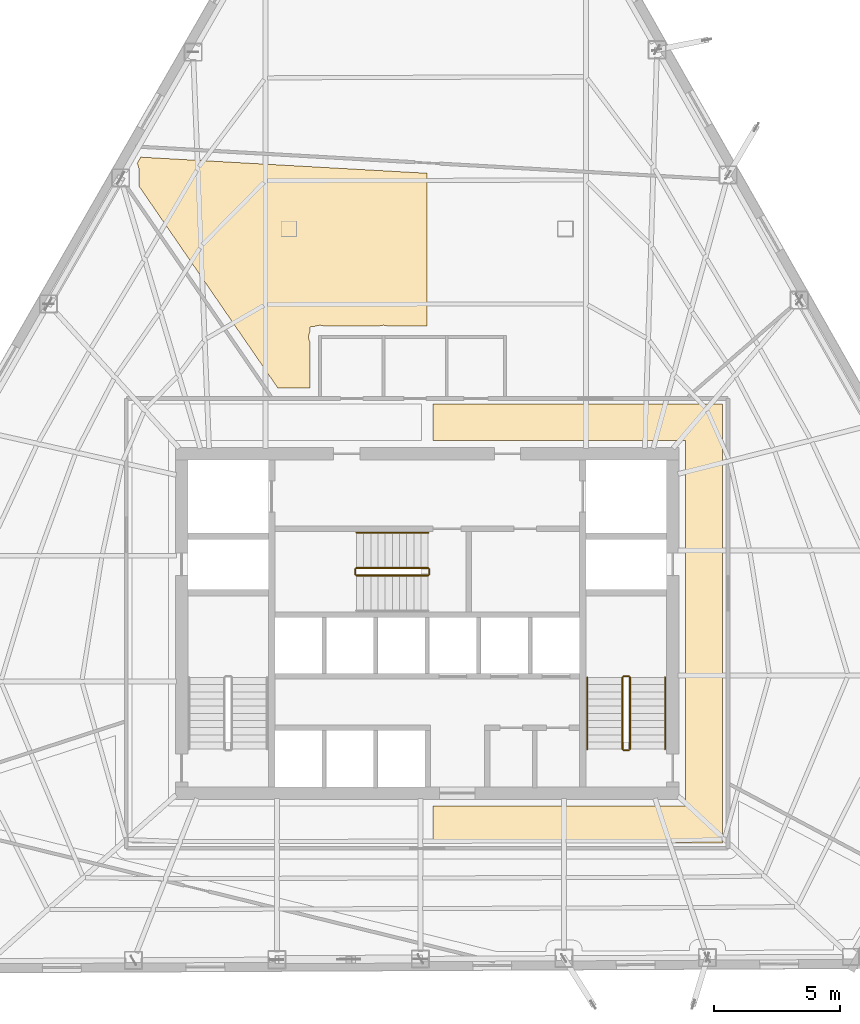
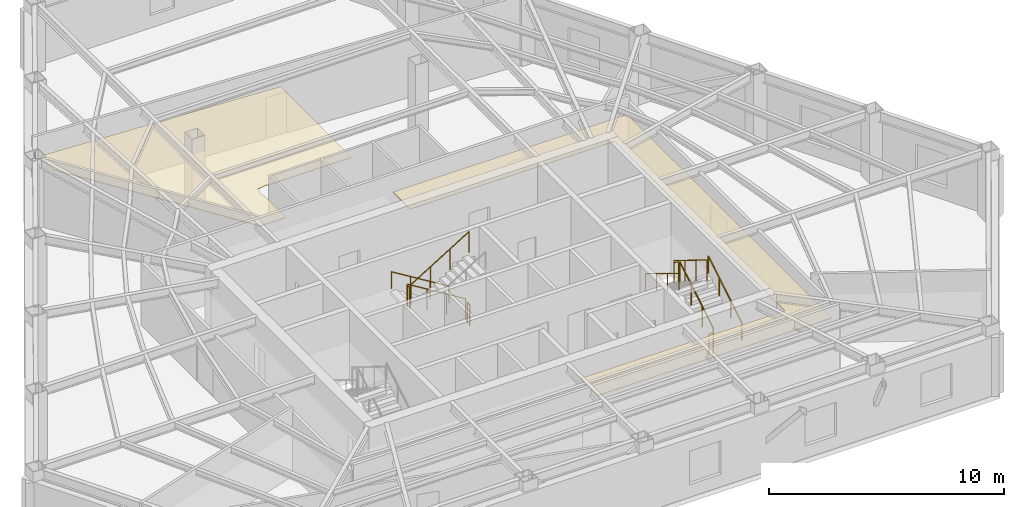
# One storey, part 13 of 13: 11 railings, 2 coverings.
"""IFC4 building model written with IfcOpenShell, lengths in metres."""

from ifc_helpers import new_model, si_unit, direction, frame, origin, origin_2d, place, context, subcontext, project, spatial, polyline, circle, outline, extrude, material, layer, layer_set, type_object, element, save


model = new_model("IFC4")

# Units and contexts
model_context = context("Model", 3, precision=1e-05, world=origin(), true_north=direction((0.0, 1.0)))
body_context = subcontext(model_context, "Body", "Model", "MODEL_VIEW")
ifc_project = project(units=[si_unit("LENGTHUNIT", "METRE"), si_unit("AREAUNIT", "SQUARE_METRE"), si_unit("VOLUMEUNIT", "CUBIC_METRE"), si_unit("PLANEANGLEUNIT", "RADIAN"), si_unit("MASSUNIT", "GRAM", prefix="KILO")], contexts=[model_context])

# Site, building, storey
site_placement = place(None, origin())
site = spatial("IfcSite", under=ifc_project, at=site_placement, CompositionType="ELEMENT")
building_placement = place(site_placement, origin())
building = spatial("IfcBuilding", under=site, at=building_placement, Name="Kavelnor Concourse Tower", CompositionType="ELEMENT")
storey_placement = place(building_placement, frame((0.0, 0.0, 85.5)))
storey = spatial("IfcBuildingStorey", under=building, at=storey_placement, Name="L21", CompositionType="ELEMENT", Elevation=85.5)

# Coverings
ifc_material_1 = material(Name="Mineral fibre acoustic ceiling tile")
ifc_layer = layer(ifc_material_1, 0.0400390625, Name="Mineral fibre acoustic ceiling tile")
ifc_layer_set = layer_set([ifc_layer], Name="Mineral fibre acoustic ceiling tile")
covering_type = type_object("IfcCoveringType", Name="COV-CEILING-ACOUSTIC", PredefinedType="CEILING", material=ifc_layer_set)
covering_1_placement = place(storey_placement, frame((0.0, 0.0, 2.75)))
element("IfcCovering", 1, at=covering_1_placement, inside=storey, type_object=covering_type, Name="L21 Suspended Acoustic Ceiling", PredefinedType="CEILING", context=body_context, shape_type="SweptSolid", body=[
    extrude(outline(polyline([(49.75, 7.3701171875), (38.22509765625, 7.3701171875), (38.22509765625, 8.830078125), (48.2900390625, 8.830078125), (48.2900390625, 23.3701171875), (38.22509765625, 23.3701171875), (38.22509765625, 24.830078125), (49.75, 24.830078125), (49.75, 7.3701171875)])), origin(), (0.0, 0.0, 1.0), 0.0400390625),
])
covering_2_placement = place(storey_placement, frame((0.0, 0.0, 2.75)))
element("IfcCovering", 2, at=covering_2_placement, inside=storey, type_object=covering_type, Name="L21 Suspended Acoustic Ceiling", PredefinedType="CEILING", context=body_context, shape_type="SweptSolid", body=[
    extrude(outline(polyline([(37.9951171875, 27.94091796875), (36.39990234375, 27.93994140625), (36.377685546875, 27.947998046875), (36.339111328125, 27.95751953125), (36.2998046875, 27.96337890625), (36.260009765625, 27.96533203125), (36.22021484375, 27.96337890625), (36.180908203125, 27.95751953125), (36.142333984375, 27.947998046875), (36.123291015625, 27.941162109375), (33.8798828125, 27.93994140625), (33.857666015625, 27.947998046875), (33.819091796875, 27.95751953125), (33.77978515625, 27.96337890625), (33.739990234375, 27.96533203125), (33.7001953125, 27.96337890625), (33.660888671875, 27.95751953125), (33.622314453125, 27.947998046875), (33.5849609375, 27.9345703125), (33.573486328125, 27.92919921875), (33.340087890625, 27.899658203125), (33.340087890625, 27.70361328125), (33.33251953125, 27.691162109375), (33.3154296875, 27.655029296875), (33.302001953125, 27.61767578125), (33.29248046875, 27.5791015625), (33.28662109375, 27.539794921875), (33.28466796875, 27.5), (33.28662109375, 27.460205078125), (33.29248046875, 27.4208984375), (33.302001953125, 27.38232421875), (33.3154296875, 27.344970703125), (33.33251953125, 27.308837890625), (33.3349609375, 27.3046875), (33.3349609375, 25.472412109375), (32.056396484375, 25.472412109375), (26.528076171875, 33.509033203125), (26.528076171875, 34.191650390625), (26.52685546875, 34.21875), (26.521484375, 34.253662109375), (26.512939453125, 34.2880859375), (26.501220703125, 34.3212890625), (26.486083984375, 34.353271484375), (26.4677734375, 34.383544921875), (26.459716796875, 34.394775390625), (26.608154296875, 34.653076171875), (37.9951171875, 34.01318359375), (37.9951171875, 27.94091796875)])), origin(), (0.0, 0.0, 1.0), 0.0400390625),
])

# Railings
ifc_material_2 = material(Name="Steel Grade 350", Category="steel")
railing_type_1 = type_object("IfcRailingType", Name="RLG-GUARD-1100", PredefinedType="GUARDRAIL", material=ifc_material_2)
railing_1_placement = place(storey_placement, frame((46.070068359375, 11.10009765625, 0.175048828125)))
element("IfcRailing", 3, at=railing_1_placement, inside=storey, type_object=railing_type_1, Name="L21 ST2 stair guard 1", PredefinedType="GUARDRAIL", context=body_context, shape_type="SweptSolid", body=[
    extrude(circle(Radius=0.02392578125, at=origin_2d()), frame((0.0, 0.0, 1.076171875), z_axis=(0.0, 0.852159232446, 0.523282564737), x_axis=(-1.0, 0.0, 0.0)), (0.0, 0.0, 1.0), 3.34423828125),
    extrude(circle(Radius=0.02099609375, at=origin_2d()), origin(), (0.0, 0.0, 1.0), 1.052001953125),
    extrude(circle(Radius=0.02099609375, at=origin_2d()), frame((0.0, 0.949951171875, 0.583251953125)), (0.0, 0.0, 1.0), 1.052001953125),
    extrude(circle(Radius=0.02099609375, at=origin_2d()), frame((0.0, 1.89990234375, 1.166748046875)), (0.0, 0.0, 1.0), 1.052001953125),
    extrude(circle(Radius=0.02099609375, at=origin_2d()), frame((0.0, 2.849853515625, 1.75)), (0.0, 0.0, 1.0), 1.052001953125),
])
railing_2_placement = place(storey_placement, frame((46.02001953125, 14.0, 1.925048828125)))
element("IfcRailing", 4, at=railing_2_placement, inside=storey, type_object=railing_type_1, Name="L21 ST2 stair guard 2", PredefinedType="GUARDRAIL", context=body_context, shape_type="SweptSolid", body=[
    extrude(circle(Radius=0.02392578125, at=origin_2d()), frame((0.0, 0.0, 1.076171875), z_axis=(-1.0, 0.0, 0.0), x_axis=(0.0, -1.0, 0.0)), (0.0, 0.0, 1.0), 0.199951171875),
    extrude(circle(Radius=0.02099609375, at=origin_2d()), origin(), (0.0, 0.0, 1.0), 1.052001953125),
    extrude(circle(Radius=0.02099609375, at=origin_2d()), frame((-0.199951171875, 0.0, 0.0)), (0.0, 0.0, 1.0), 1.052001953125),
])
railing_3_placement = place(storey_placement, frame((45.77001953125, 13.949951171875, 2.10009765625)))
element("IfcRailing", 5, at=railing_3_placement, inside=storey, type_object=railing_type_1, Name="L21 ST2 stair guard 3", PredefinedType="GUARDRAIL", context=body_context, shape_type="SweptSolid", body=[
    extrude(circle(Radius=0.02392578125, at=origin_2d()), frame((0.0, 0.0, 1.076171875), z_axis=(0.0, -0.852159232446, 0.523282564737), x_axis=(1.0, 0.0, 0.0)), (0.0, 0.0, 1.0), 3.34423828125),
    extrude(circle(Radius=0.02099609375, at=origin_2d()), origin(), (0.0, 0.0, 1.0), 1.052001953125),
    extrude(circle(Radius=0.02099609375, at=origin_2d()), frame((0.0, -0.949951171875, 0.583251953125)), (0.0, 0.0, 1.0), 1.052001953125),
    extrude(circle(Radius=0.02099609375, at=origin_2d()), frame((0.0, -1.89990234375, 1.166748046875)), (0.0, 0.0, 1.0), 1.052001953125),
    extrude(circle(Radius=0.02099609375, at=origin_2d()), frame((0.0, -2.849853515625, 1.75)), (0.0, 0.0, 1.0), 1.052001953125),
])
railing_4_placement = place(storey_placement, frame((46.02001953125, 11.050048828125, 0.0)))
element("IfcRailing", 6, at=railing_4_placement, inside=storey, type_object=railing_type_1, Name="L21 ST2 stair guard 4", PredefinedType="GUARDRAIL", context=body_context, shape_type="SweptSolid", body=[
    extrude(circle(Radius=0.02392578125, at=origin_2d()), frame((0.0, 0.0, 1.076171875), z_axis=(-1.0, 0.0, 0.0), x_axis=(0.0, -1.0, 0.0)), (0.0, 0.0, 1.0), 0.199951171875),
    extrude(circle(Radius=0.02099609375, at=origin_2d()), origin(), (0.0, 0.0, 1.0), 1.052001953125),
    extrude(circle(Radius=0.02099609375, at=origin_2d()), frame((-0.199951171875, 0.0, 0.0)), (0.0, 0.0, 1.0), 1.052001953125),
])
railing_5_placement = place(storey_placement, frame((38.0400390625, 18.31005859375, 0.175048828125)))
element("IfcRailing", 7, at=railing_5_placement, inside=storey, type_object=railing_type_1, Name="L21 ST3 stair guard 1", PredefinedType="GUARDRAIL", context=body_context, shape_type="SweptSolid", body=[
    extrude(circle(Radius=0.02392578125, at=origin_2d()), frame((0.0, 0.0, 1.076171875), z_axis=(-0.852179220489, 0.0, 0.52325001306), x_axis=(0.0, -1.0, 0.0)), (0.0, 0.0, 1.0), 3.344482421875),
    extrude(circle(Radius=0.02099609375, at=origin_2d()), origin(), (0.0, 0.0, 1.0), 1.052001953125),
    extrude(circle(Radius=0.02099609375, at=origin_2d()), frame((-0.949951171875, 0.0, 0.583251953125)), (0.0, 0.0, 1.0), 1.052001953125),
    extrude(circle(Radius=0.02099609375, at=origin_2d()), frame((-1.900146484375, 0.0, 1.166748046875)), (0.0, 0.0, 1.0), 1.052001953125),
    extrude(circle(Radius=0.02099609375, at=origin_2d()), frame((-2.85009765625, 0.0, 1.75)), (0.0, 0.0, 1.0), 1.052001953125),
])
railing_6_placement = place(storey_placement, frame((35.139892578125, 18.260009765625, 1.925048828125)))
element("IfcRailing", 8, at=railing_6_placement, inside=storey, type_object=railing_type_1, Name="L21 ST3 stair guard 2", PredefinedType="GUARDRAIL", context=body_context, shape_type="SweptSolid", body=[
    extrude(circle(Radius=0.02392578125, at=origin_2d()), frame((0.0, 0.0, 1.076171875), z_axis=(0.0, -1.0, 0.0), x_axis=(1.0, 0.0, 0.0)), (0.0, 0.0, 1.0), 0.199951171875),
    extrude(circle(Radius=0.02099609375, at=origin_2d()), origin(), (0.0, 0.0, 1.0), 1.052001953125),
    extrude(circle(Radius=0.02099609375, at=origin_2d()), frame((0.0, -0.199951171875, 0.0)), (0.0, 0.0, 1.0), 1.052001953125),
])
railing_7_placement = place(storey_placement, frame((35.18994140625, 18.010009765625, 2.10009765625)))
element("IfcRailing", 9, at=railing_7_placement, inside=storey, type_object=railing_type_1, Name="L21 ST3 stair guard 3", PredefinedType="GUARDRAIL", context=body_context, shape_type="SweptSolid", body=[
    extrude(circle(Radius=0.02392578125, at=origin_2d()), frame((0.0, 0.0, 1.076171875), z_axis=(0.852179220489, 0.0, 0.52325001306), x_axis=(0.0, 1.0, 0.0)), (0.0, 0.0, 1.0), 3.344482421875),
    extrude(circle(Radius=0.02099609375, at=origin_2d()), origin(), (0.0, 0.0, 1.0), 1.052001953125),
    extrude(circle(Radius=0.02099609375, at=origin_2d()), frame((0.949951171875, 0.0, 0.583251953125)), (0.0, 0.0, 1.0), 1.052001953125),
    extrude(circle(Radius=0.02099609375, at=origin_2d()), frame((1.900146484375, 0.0, 1.166748046875)), (0.0, 0.0, 1.0), 1.052001953125),
    extrude(circle(Radius=0.02099609375, at=origin_2d()), frame((2.85009765625, 0.0, 1.75)), (0.0, 0.0, 1.0), 1.052001953125),
])
railing_8_placement = place(storey_placement, frame((38.090087890625, 18.260009765625, 0.0)))
element("IfcRailing", 10, at=railing_8_placement, inside=storey, type_object=railing_type_1, Name="L21 ST3 stair guard 4", PredefinedType="GUARDRAIL", context=body_context, shape_type="SweptSolid", body=[
    extrude(circle(Radius=0.02392578125, at=origin_2d()), frame((0.0, 0.0, 1.076171875), z_axis=(0.0, -1.0, 0.0), x_axis=(1.0, 0.0, 0.0)), (0.0, 0.0, 1.0), 0.199951171875),
    extrude(circle(Radius=0.02099609375, at=origin_2d()), origin(), (0.0, 0.0, 1.0), 1.052001953125),
    extrude(circle(Radius=0.02099609375, at=origin_2d()), frame((0.0, -0.199951171875, 0.0)), (0.0, 0.0, 1.0), 1.052001953125),
])
railing_type_2 = type_object("IfcRailingType", Name="RLG-HANDRAIL-900", PredefinedType="HANDRAIL", material=ifc_material_2)
railing_9_placement = place(storey_placement, frame((47.469970703125, 11.10009765625, 0.175048828125)))
element("IfcRailing", 11, at=railing_9_placement, inside=storey, type_object=railing_type_2, Name="L21 ST2 stair handrail 1", PredefinedType="HANDRAIL", context=body_context, shape_type="SweptSolid", body=[
    extrude(circle(Radius=0.02392578125, at=origin_2d()), frame((0.0, 0.0, 0.8759765625), z_axis=(0.0, 0.852159232446, 0.523282564737), x_axis=(-1.0, 0.0, 0.0)), (0.0, 0.0, 1.0), 3.34423828125),
    extrude(circle(Radius=0.02099609375, at=origin_2d()), origin(), (0.0, 0.0, 1.0), 0.851806640625),
    extrude(circle(Radius=0.02099609375, at=origin_2d()), frame((0.0, 0.949951171875, 0.583251953125)), (0.0, 0.0, 1.0), 0.851806640625),
    extrude(circle(Radius=0.02099609375, at=origin_2d()), frame((0.0, 1.89990234375, 1.166748046875)), (0.0, 0.0, 1.0), 0.851806640625),
    extrude(circle(Radius=0.02099609375, at=origin_2d()), frame((0.0, 2.849853515625, 1.75)), (0.0, 0.0, 1.0), 0.851806640625),
])
railing_10_placement = place(storey_placement, frame((44.3701171875, 13.949951171875, 2.10009765625)))
element("IfcRailing", 12, at=railing_10_placement, inside=storey, type_object=railing_type_2, Name="L21 ST2 stair handrail 2", PredefinedType="HANDRAIL", context=body_context, shape_type="SweptSolid", body=[
    extrude(circle(Radius=0.02392578125, at=origin_2d()), frame((0.0, 0.0, 0.8759765625), z_axis=(0.0, -0.852159232446, 0.523282564737), x_axis=(1.0, 0.0, 0.0)), (0.0, 0.0, 1.0), 3.34423828125),
    extrude(circle(Radius=0.02099609375, at=origin_2d()), origin(), (0.0, 0.0, 1.0), 0.851806640625),
    extrude(circle(Radius=0.02099609375, at=origin_2d()), frame((0.0, -0.949951171875, 0.583251953125)), (0.0, 0.0, 1.0), 0.851806640625),
    extrude(circle(Radius=0.02099609375, at=origin_2d()), frame((0.0, -1.89990234375, 1.166748046875)), (0.0, 0.0, 1.0), 0.851806640625),
    extrude(circle(Radius=0.02099609375, at=origin_2d()), frame((0.0, -2.849853515625, 1.75)), (0.0, 0.0, 1.0), 0.851806640625),
])
railing_11_placement = place(storey_placement, frame((38.0400390625, 19.7099609375, 0.175048828125)))
element("IfcRailing", 13, at=railing_11_placement, inside=storey, type_object=railing_type_2, Name="L21 ST3 stair handrail 1", PredefinedType="HANDRAIL", context=body_context, shape_type="SweptSolid", body=[
    extrude(circle(Radius=0.02392578125, at=origin_2d()), frame((0.0, 0.0, 0.8759765625), z_axis=(-0.852179220489, 0.0, 0.52325001306), x_axis=(0.0, -1.0, 0.0)), (0.0, 0.0, 1.0), 3.344482421875),
    extrude(circle(Radius=0.02099609375, at=origin_2d()), origin(), (0.0, 0.0, 1.0), 0.851806640625),
    extrude(circle(Radius=0.02099609375, at=origin_2d()), frame((-0.949951171875, 0.0, 0.583251953125)), (0.0, 0.0, 1.0), 0.851806640625),
    extrude(circle(Radius=0.02099609375, at=origin_2d()), frame((-1.900146484375, 0.0, 1.166748046875)), (0.0, 0.0, 1.0), 0.851806640625),
    extrude(circle(Radius=0.02099609375, at=origin_2d()), frame((-2.85009765625, 0.0, 1.75)), (0.0, 0.0, 1.0), 0.851806640625),
])

save(model, "model.ifc")
